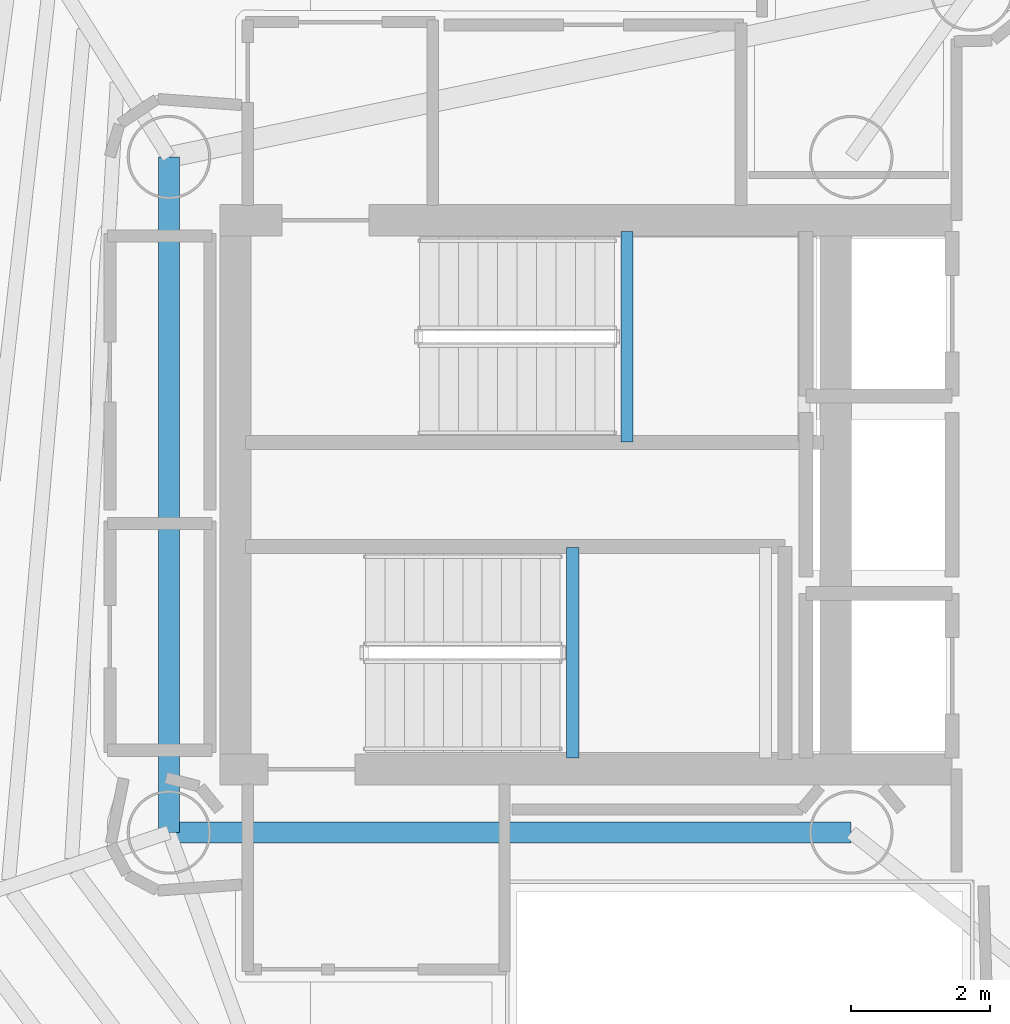
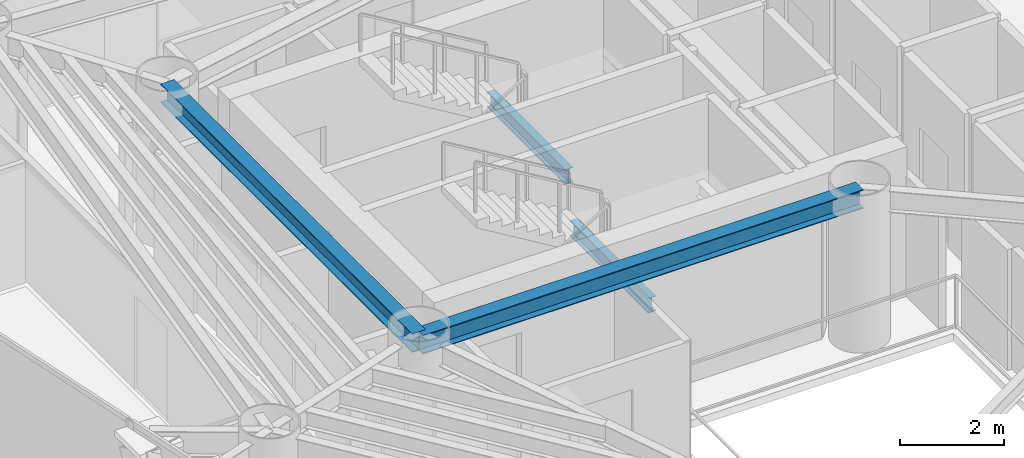
# One storey, part 9 of 22: 4 beams.
"""IFC4 building model written with IfcOpenShell, lengths in metres."""

from ifc_helpers import new_model, si_unit, direction, frame, origin, origin_2d, place, context, subcontext, project, spatial, i_section, extrude, material, material_profile, profile_set, type_object, element, save


model = new_model("IFC4")

# Units and contexts
model_context = context("Model", 3, precision=1e-05, world=origin(), true_north=direction((0.0, 1.0)))
body_context = subcontext(model_context, "Body", "Model", "MODEL_VIEW")
ifc_project = project(units=[si_unit("LENGTHUNIT", "METRE"), si_unit("AREAUNIT", "SQUARE_METRE"), si_unit("VOLUMEUNIT", "CUBIC_METRE"), si_unit("PLANEANGLEUNIT", "RADIAN"), si_unit("MASSUNIT", "GRAM", prefix="KILO")], contexts=[model_context])

# Site, building, storey
site_placement = place(None, origin())
site = spatial("IfcSite", under=ifc_project, at=site_placement, CompositionType="ELEMENT")
building_placement = place(site_placement, origin())
building = spatial("IfcBuilding", under=site, at=building_placement, Name="Qianvela Tower", CompositionType="ELEMENT")
storey_placement = place(building_placement, frame((0.0, 0.0, 196.60009765625)))
storey = spatial("IfcBuildingStorey", under=building, at=storey_placement, Name="L50", CompositionType="ELEMENT", Elevation=196.60009765625)

# Beams
ifc_material_1 = material(Name="Steel Q355B", Category="steel")
ifc_material_profile_1 = material_profile(ifc_material_1, i_section(OverallWidth=0.300048828125, OverallDepth=0.43994140625, WebThickness=0.010986328125, FlangeThickness=0.01806640625, at=origin_2d()), Name="HM440x300x11x18")
ifc_profile_set_1 = profile_set([ifc_material_profile_1], Name="Steel Q355B")
beam_type_1 = type_object("IfcBeamType", Name="BM-HM440-COLL", PredefinedType="BEAM", material=ifc_profile_set_1)
beam_1_placement = place(storey_placement, frame((28.60009765625, 23.85009765625, 3.2978515625), z_axis=(1.0, 0.0, 0.0), x_axis=(0.0, 1.0, 0.0)))
element("IfcBeam", 1, at=beam_1_placement, inside=storey, type_object=beam_type_1, Name="L50 Core Ring Collector Girder CC1", PredefinedType="BEAM", context=body_context, shape_type="SweptSolid", body=[
    extrude(i_section(OverallWidth=0.300048828125, OverallDepth=0.43994140625, WebThickness=0.010986328125, FlangeThickness=0.01806640625, at=origin_2d()), origin(), (0.0, 0.0, 1.0), 9.7998046875),
])
beam_2_placement = place(storey_placement, frame((28.60009765625, 33.550048828125, 3.2978515625), z_axis=(0.0, -1.0, 0.0), x_axis=(1.0, 0.0, 0.0)))
element("IfcBeam", 2, at=beam_2_placement, inside=storey, type_object=beam_type_1, Name="L50 Core Ring Collector Girder CC2", PredefinedType="BEAM", context=body_context, shape_type="SweptSolid", body=[
    extrude(i_section(OverallWidth=0.300048828125, OverallDepth=0.43994140625, WebThickness=0.010986328125, FlangeThickness=0.01806640625, at=origin_2d()), origin(), (0.0, 0.0, 1.0), 9.699951171875),
])
ifc_material_2 = material(Name="Steel Q355B", Category="steel")
ifc_material_profile_2 = material_profile(ifc_material_2, i_section(OverallWidth=0.175048828125, OverallDepth=0.35009765625, WebThickness=0.007080078125, FlangeThickness=0.010986328125, at=origin_2d()), Name="HN350x175x7x11")
ifc_profile_set_2 = profile_set([ifc_material_profile_2], Name="Steel Q355B")
beam_type_2 = type_object("IfcBeamType", Name="BM-HN350-JOIST", PredefinedType="JOIST", material=ifc_profile_set_2)
for number, where, z_axis, x_axis, name in (
    (3, (35.179931640625, 29.4599609375, 1.474853515625), (0.0, 1.0, 0.0), (-1.0, 0.0, 0.0), "L50 Stair ST-1 Landing Support Beam 1.1"),
    (4, (34.39990234375, 24.919921875, 1.474853515625), (0.0, 1.0, 0.0), (-1.0, 0.0, 0.0), "L50 Stair ST-2 Landing Support Beam 1.1"),
):
    element("IfcBeam", number, at=place(storey_placement, frame(where, z_axis=z_axis, x_axis=x_axis)), inside=storey, type_object=beam_type_2, Name=name, PredefinedType="JOIST", context=body_context, shape_type="SweptSolid", body=[
        extrude(i_section(OverallWidth=0.175048828125, OverallDepth=0.35009765625, WebThickness=0.007080078125, FlangeThickness=0.010986328125, at=origin_2d()), origin(), (0.0, 0.0, 1.0), 3.02001953125),
    ])

save(model, "model.ifc")
